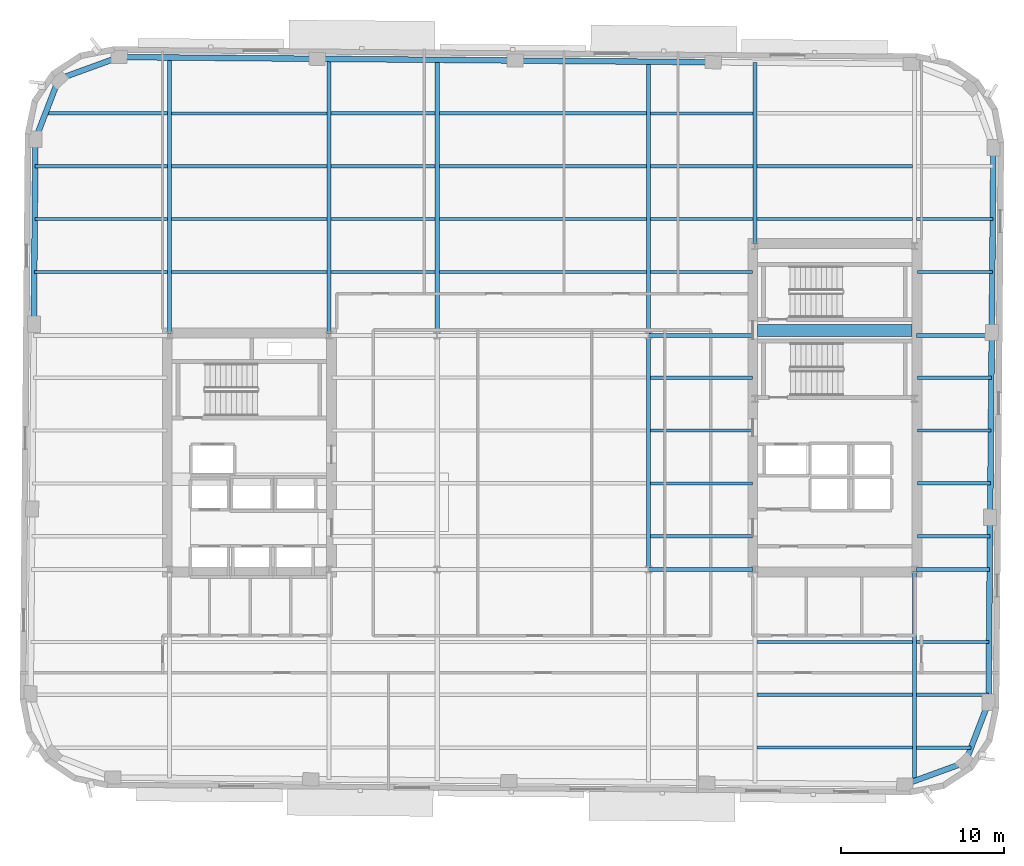
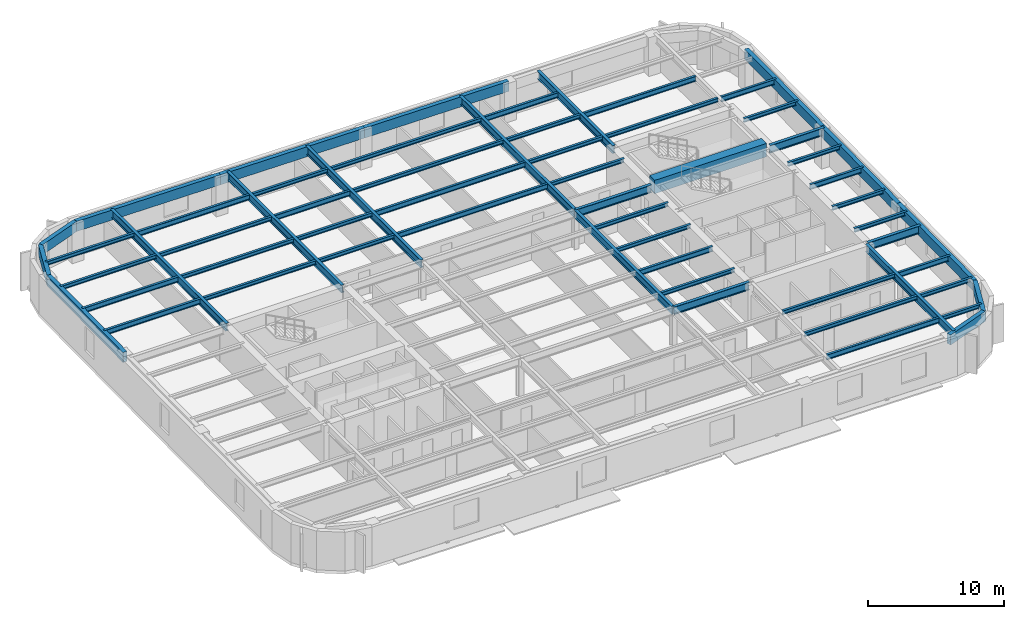
# One storey, part 2 of 12: 61 beams.
"""IFC4 building model written with IfcOpenShell, lengths in metres."""

from ifc_helpers import new_model, si_unit, direction, frame, origin, origin_2d, place, context, subcontext, project, spatial, rectangle, hollow_rectangle, i_section, extrude, material, material_profile, profile_set, type_object, element, save


model = new_model("IFC4")

# Units and contexts
model_context = context("Model", 3, precision=1e-05, world=origin(), true_north=direction((0.0, 1.0)))
body_context = subcontext(model_context, "Body", "Model", "MODEL_VIEW")
ifc_project = project(units=[si_unit("LENGTHUNIT", "METRE"), si_unit("AREAUNIT", "SQUARE_METRE"), si_unit("VOLUMEUNIT", "CUBIC_METRE"), si_unit("PLANEANGLEUNIT", "RADIAN"), si_unit("MASSUNIT", "GRAM", prefix="KILO")], contexts=[model_context])

# Site, building, storey
site_placement = place(None, origin())
site = spatial("IfcSite", under=ifc_project, at=site_placement, CompositionType="ELEMENT")
building_placement = place(site_placement, origin())
building = spatial("IfcBuilding", under=site, at=building_placement, Name="Kolvaren Arena Tower", CompositionType="ELEMENT")
storey_placement = place(building_placement, frame((0.0, 0.0, 177.199951171875)))
storey = spatial("IfcBuildingStorey", under=building, at=storey_placement, Name="L42", CompositionType="ELEMENT", Elevation=177.199951171875)

# Beams
ifc_material_1 = material(Name="Steel CSA G40.21 350W", Category="steel")
ifc_material_profile_1 = material_profile(ifc_material_1, i_section(OverallWidth=0.193115234375, OverallDepth=0.462890625, WebThickness=0.0107421875, FlangeThickness=0.0205078125, FilletRadius=0.012939453125, at=origin_2d()), Name="W460x113")
ifc_profile_set_1 = profile_set([ifc_material_profile_1], Name="Steel CSA G40.21 350W")
beam_type_1 = type_object("IfcBeamType", Name="BEAM-F2", PredefinedType="BEAM", material=ifc_profile_set_1)
beam_1_placement = place(storey_placement, frame((50.677490234375, 8.5, 3.24853515625), z_axis=(1.0, 0.0, 0.0), x_axis=(0.0, 1.0, 0.0)))
element("IfcBeam", 1, at=beam_1_placement, inside=storey, type_object=beam_type_1, Name="Composite Floor Beam (L42)", PredefinedType="BEAM", context=body_context, shape_type="SweptSolid", body=[
    extrude(i_section(OverallWidth=0.193115234375, OverallDepth=0.462890625, WebThickness=0.0107421875, FlangeThickness=0.0205078125, FilletRadius=0.012939453125, at=origin_2d()), origin(), (0.0, 0.0, 1.0), 9.544921875),
])
beam_2_placement = place(storey_placement, frame((60.4775390625, 15.0, 3.24853515625), z_axis=(1.0, 0.0, 0.0), x_axis=(0.0, 1.0, 0.0)))
element("IfcBeam", 2, at=beam_2_placement, inside=storey, type_object=beam_type_1, Name="Composite Floor Beam (L42)", PredefinedType="BEAM", context=body_context, shape_type="SweptSolid", body=[
    extrude(i_section(OverallWidth=0.193115234375, OverallDepth=0.462890625, WebThickness=0.0107421875, FlangeThickness=0.0205078125, FilletRadius=0.012939453125, at=origin_2d()), origin(), (0.0, 0.0, 1.0), 4.454833984375),
])
beam_3_placement = place(storey_placement, frame((44.12744140625, 24.75, 3.24853515625), z_axis=(1.0, 0.0, 0.0), x_axis=(0.0, 1.0, 0.0)))
element("IfcBeam", 3, at=beam_3_placement, inside=storey, type_object=beam_type_1, Name="Composite Floor Beam (L42)", PredefinedType="BEAM", context=body_context, shape_type="SweptSolid", body=[
    extrude(i_section(OverallWidth=0.193115234375, OverallDepth=0.462890625, WebThickness=0.0107421875, FlangeThickness=0.0205078125, FilletRadius=0.012939453125, at=origin_2d()), origin(), (0.0, 0.0, 1.0), 6.25244140625),
])
beam_4_placement = place(storey_placement, frame((60.52001953125, 28.0, 3.24853515625), z_axis=(1.0, 0.0, 0.0), x_axis=(0.0, 1.0, 0.0)))
element("IfcBeam", 4, at=beam_4_placement, inside=storey, type_object=beam_type_1, Name="Composite Floor Beam (L42)", PredefinedType="BEAM", context=body_context, shape_type="SweptSolid", body=[
    extrude(i_section(OverallWidth=0.193115234375, OverallDepth=0.462890625, WebThickness=0.0107421875, FlangeThickness=0.0205078125, FilletRadius=0.012939453125, at=origin_2d()), origin(), (0.0, 0.0, 1.0), 4.52587890625),
])
beam_5_placement = place(storey_placement, frame((6.228759765625, 37.75, 3.24853515625), z_axis=(1.0, 0.0, 0.0), x_axis=(0.0, 1.0, 0.0)))
element("IfcBeam", 5, at=beam_5_placement, inside=storey, type_object=beam_type_1, Name="Composite Floor Beam (L42)", PredefinedType="BEAM", context=body_context, shape_type="SweptSolid", body=[
    extrude(i_section(OverallWidth=0.193115234375, OverallDepth=0.462890625, WebThickness=0.0107421875, FlangeThickness=0.0205078125, FilletRadius=0.012939453125, at=origin_2d()), origin(), (0.0, 0.0, 1.0), 8.19384765625),
])
beam_6_placement = place(storey_placement, frame((31.12744140625, 37.75, 3.24853515625), z_axis=(1.0, 0.0, 0.0), x_axis=(0.0, 1.0, 0.0)))
element("IfcBeam", 6, at=beam_6_placement, inside=storey, type_object=beam_type_1, Name="Composite Floor Beam (L42)", PredefinedType="BEAM", context=body_context, shape_type="SweptSolid", body=[
    extrude(i_section(OverallWidth=0.193115234375, OverallDepth=0.462890625, WebThickness=0.0107421875, FlangeThickness=0.0205078125, FilletRadius=0.012939453125, at=origin_2d()), origin(), (0.0, 0.0, 1.0), 12.7451171875),
])
beam_7_placement = place(storey_placement, frame((6.257080078125, 41.0, 3.24853515625), z_axis=(1.0, 0.0, 0.0), x_axis=(0.0, 1.0, 0.0)))
element("IfcBeam", 7, at=beam_7_placement, inside=storey, type_object=beam_type_1, Name="Composite Floor Beam (L42)", PredefinedType="BEAM", context=body_context, shape_type="SweptSolid", body=[
    extrude(i_section(OverallWidth=0.193115234375, OverallDepth=0.462890625, WebThickness=0.0107421875, FlangeThickness=0.0205078125, FilletRadius=0.012939453125, at=origin_2d()), origin(), (0.0, 0.0, 1.0), 8.16552734375),
])
beam_8_placement = place(storey_placement, frame((31.12744140625, 41.0, 3.24853515625), z_axis=(1.0, 0.0, 0.0), x_axis=(0.0, 1.0, 0.0)))
element("IfcBeam", 8, at=beam_8_placement, inside=storey, type_object=beam_type_1, Name="Composite Floor Beam (L42)", PredefinedType="BEAM", context=body_context, shape_type="SweptSolid", body=[
    extrude(i_section(OverallWidth=0.193115234375, OverallDepth=0.462890625, WebThickness=0.0107421875, FlangeThickness=0.0205078125, FilletRadius=0.012939453125, at=origin_2d()), origin(), (0.0, 0.0, 1.0), 12.7451171875),
])
beam_9_placement = place(storey_placement, frame((60.4775390625, 41.0, 3.24853515625), z_axis=(1.0, 0.0, 0.0), x_axis=(0.0, 1.0, 0.0)))
element("IfcBeam", 9, at=beam_9_placement, inside=storey, type_object=beam_type_1, Name="Composite Floor Beam (L42)", PredefinedType="BEAM", context=body_context, shape_type="SweptSolid", body=[
    extrude(i_section(OverallWidth=0.193115234375, OverallDepth=0.462890625, WebThickness=0.0107421875, FlangeThickness=0.0205078125, FilletRadius=0.012939453125, at=origin_2d()), origin(), (0.0, 0.0, 1.0), 4.681884765625),
])
beam_10_placement = place(storey_placement, frame((24.4775390625, 44.25, 3.24853515625), z_axis=(1.0, 0.0, 0.0), x_axis=(0.0, 1.0, 0.0)))
element("IfcBeam", 10, at=beam_10_placement, inside=storey, type_object=beam_type_1, Name="Composite Floor Beam (L42)", PredefinedType="BEAM", context=body_context, shape_type="SweptSolid", body=[
    extrude(i_section(OverallWidth=0.193115234375, OverallDepth=0.462890625, WebThickness=0.0107421875, FlangeThickness=0.0205078125, FilletRadius=0.012939453125, at=origin_2d()), origin(), (0.0, 0.0, 1.0), 6.39501953125),
])
for number, where, z_axis, x_axis, name in (
    (11, (50.677490234375, 44.25, 3.24853515625), (1.0, 0.0, 0.0), (0.0, 1.0, 0.0), "Composite Floor Beam (L42)"),
    (12, (14.677490234375, 47.5, 3.24853515625), (1.0, 0.0, 0.0), (0.0, 1.0, 0.0), "Composite Floor Beam (L42)"),
):
    element("IfcBeam", number, at=place(storey_placement, frame(where, z_axis=z_axis, x_axis=x_axis)), inside=storey, type_object=beam_type_1, Name=name, PredefinedType="BEAM", context=body_context, shape_type="SweptSolid", body=[
        extrude(i_section(OverallWidth=0.193115234375, OverallDepth=0.462890625, WebThickness=0.0107421875, FlangeThickness=0.0205078125, FilletRadius=0.012939453125, at=origin_2d()), origin(), (0.0, 0.0, 1.0), 9.544921875),
    ])
beam_11_placement = place(storey_placement, frame((44.12744140625, 47.5, 3.24853515625), z_axis=(1.0, 0.0, 0.0), x_axis=(0.0, 1.0, 0.0)))
element("IfcBeam", 13, at=beam_11_placement, inside=storey, type_object=beam_type_1, Name="Composite Floor Beam (L42)", PredefinedType="BEAM", context=body_context, shape_type="SweptSolid", body=[
    extrude(i_section(OverallWidth=0.193115234375, OverallDepth=0.462890625, WebThickness=0.0107421875, FlangeThickness=0.0205078125, FilletRadius=0.012939453125, at=origin_2d()), origin(), (0.0, 0.0, 1.0), 6.295166015625),
])
ifc_material_2 = material(Name="Concrete 60 MPa", Category="concrete")
ifc_material_profile_2 = material_profile(ifc_material_2, rectangle(XDim=0.75, YDim=1.199951171875, at=origin_2d()), Name="RC-750x1200")
ifc_profile_set_2 = profile_set([ifc_material_profile_2], Name="Concrete 60 MPa")
beam_type_2 = type_object("IfcBeamType", Name="CB-CORE-2", PredefinedType="BEAM", material=ifc_profile_set_2)
beam_12_placement = place(storey_placement, frame((50.699951171875, 34.14990234375, 3.150146484375), z_axis=(1.0, 0.0, 0.0), x_axis=(0.0, 1.0, 0.0)))
element("IfcBeam", 14, at=beam_12_placement, inside=storey, type_object=beam_type_2, Name="East Core Coupling Beam (L42)", PredefinedType="BEAM", context=body_context, shape_type="SweptSolid", body=[
    extrude(rectangle(XDim=0.75, YDim=1.199951171875, at=origin_2d()), origin(), (0.0, 0.0, 1.0), 9.5),
])
ifc_material_profile_3 = material_profile(ifc_material_1, i_section(OverallWidth=0.2548828125, OverallDepth=0.695068359375, WebThickness=0.01708984375, FlangeThickness=0.02978515625, FilletRadius=0.01611328125, at=origin_2d()), Name="W690x217")
ifc_profile_set_3 = profile_set([ifc_material_profile_3], Name="Steel CSA G40.21 350W")
beam_type_3 = type_object("IfcBeamType", Name="GIRD-T2", PredefinedType="BEAM", material=ifc_profile_set_3)
beam_13_placement = place(storey_placement, frame((44.0, 19.449951171875, 3.132568359375), z_axis=(1.0, 0.0, 0.0), x_axis=(0.0, 1.0, 0.0)))
element("IfcBeam", 15, at=beam_13_placement, inside=storey, type_object=beam_type_3, Name="Primary Floor Girder (L42)", PredefinedType="BEAM", context=body_context, shape_type="SweptSolid", body=[
    extrude(i_section(OverallWidth=0.2548828125, OverallDepth=0.695068359375, WebThickness=0.01708984375, FlangeThickness=0.02978515625, FilletRadius=0.01611328125, at=origin_2d()), origin(), (0.0, 0.0, 1.0), 6.419921875),
])
beam_14_placement = place(storey_placement, frame((60.47998046875, 19.449951171875, 3.132568359375), z_axis=(1.0, 0.0, 0.0), x_axis=(0.0, 1.0, 0.0)))
element("IfcBeam", 16, at=beam_14_placement, inside=storey, type_object=beam_type_3, Name="Primary Floor Girder (L42)", PredefinedType="BEAM", context=body_context, shape_type="SweptSolid", body=[
    extrude(i_section(OverallWidth=0.2548828125, OverallDepth=0.695068359375, WebThickness=0.01708984375, FlangeThickness=0.02978515625, FilletRadius=0.01611328125, at=origin_2d()), origin(), (0.0, 0.0, 1.0), 4.4912109375),
])
beam_15_placement = place(storey_placement, frame((44.0, 33.85009765625, 3.132568359375), z_axis=(1.0, 0.0, 0.0), x_axis=(0.0, 1.0, 0.0)))
element("IfcBeam", 17, at=beam_15_placement, inside=storey, type_object=beam_type_3, Name="Primary Floor Girder (L42)", PredefinedType="BEAM", context=body_context, shape_type="SweptSolid", body=[
    extrude(i_section(OverallWidth=0.2548828125, OverallDepth=0.695068359375, WebThickness=0.01708984375, FlangeThickness=0.02978515625, FilletRadius=0.01611328125, at=origin_2d()), origin(), (0.0, 0.0, 1.0), 6.419921875),
])
beam_16_placement = place(storey_placement, frame((60.47998046875, 33.85009765625, 3.132568359375), z_axis=(1.0, 0.0, 0.0), x_axis=(0.0, 1.0, 0.0)))
element("IfcBeam", 18, at=beam_16_placement, inside=storey, type_object=beam_type_3, Name="Primary Floor Girder (L42)", PredefinedType="BEAM", context=body_context, shape_type="SweptSolid", body=[
    extrude(i_section(OverallWidth=0.2548828125, OverallDepth=0.695068359375, WebThickness=0.01708984375, FlangeThickness=0.02978515625, FilletRadius=0.01611328125, at=origin_2d()), origin(), (0.0, 0.0, 1.0), 4.616943359375),
])
beam_17_placement = place(storey_placement, frame((14.550048828125, 33.97998046875, 3.132568359375), z_axis=(0.0, 1.0, 0.0), x_axis=(-1.0, 0.0, 0.0)))
element("IfcBeam", 19, at=beam_17_placement, inside=storey, type_object=beam_type_3, Name="Primary Floor Girder (L42)", PredefinedType="BEAM", context=body_context, shape_type="SweptSolid", body=[
    extrude(i_section(OverallWidth=0.2548828125, OverallDepth=0.695068359375, WebThickness=0.01708984375, FlangeThickness=0.02978515625, FilletRadius=0.01611328125, at=origin_2d()), origin(), (0.0, 0.0, 1.0), 16.95458984375),
])
beam_18_placement = place(storey_placement, frame((24.35009765625, 33.97998046875, 3.132568359375), z_axis=(0.0, 1.0, 0.0), x_axis=(-1.0, 0.0, 0.0)))
element("IfcBeam", 20, at=beam_18_placement, inside=storey, type_object=beam_type_3, Name="Primary Floor Girder (L42)", PredefinedType="BEAM", context=body_context, shape_type="SweptSolid", body=[
    extrude(i_section(OverallWidth=0.2548828125, OverallDepth=0.695068359375, WebThickness=0.01708984375, FlangeThickness=0.02978515625, FilletRadius=0.01611328125, at=origin_2d()), origin(), (0.0, 0.0, 1.0), 16.869140625),
])
beam_19_placement = place(storey_placement, frame((31.0, 33.85009765625, 3.132568359375), z_axis=(0.0, 1.0, 0.0), x_axis=(-1.0, 0.0, 0.0)))
element("IfcBeam", 21, at=beam_19_placement, inside=storey, type_object=beam_type_3, Name="Primary Floor Girder (L42)", PredefinedType="BEAM", context=body_context, shape_type="SweptSolid", body=[
    extrude(i_section(OverallWidth=0.2548828125, OverallDepth=0.695068359375, WebThickness=0.01708984375, FlangeThickness=0.02978515625, FilletRadius=0.01611328125, at=origin_2d()), origin(), (0.0, 0.0, 1.0), 16.94091796875),
])
beam_20_placement = place(storey_placement, frame((44.0, 19.449951171875, 3.132568359375), z_axis=(0.0, 1.0, 0.0), x_axis=(-1.0, 0.0, 0.0)))
element("IfcBeam", 22, at=beam_20_placement, inside=storey, type_object=beam_type_3, Name="Primary Floor Girder (L42)", PredefinedType="BEAM", context=body_context, shape_type="SweptSolid", body=[
    extrude(i_section(OverallWidth=0.2548828125, OverallDepth=0.695068359375, WebThickness=0.01708984375, FlangeThickness=0.02978515625, FilletRadius=0.01611328125, at=origin_2d()), origin(), (0.0, 0.0, 1.0), 14.400146484375),
])
beam_21_placement = place(storey_placement, frame((44.0, 33.85009765625, 3.132568359375), z_axis=(0.0, 1.0, 0.0), x_axis=(-1.0, 0.0, 0.0)))
element("IfcBeam", 23, at=beam_21_placement, inside=storey, type_object=beam_type_3, Name="Primary Floor Girder (L42)", PredefinedType="BEAM", context=body_context, shape_type="SweptSolid", body=[
    extrude(i_section(OverallWidth=0.2548828125, OverallDepth=0.695068359375, WebThickness=0.01708984375, FlangeThickness=0.02978515625, FilletRadius=0.01611328125, at=origin_2d()), origin(), (0.0, 0.0, 1.0), 16.827392578125),
])
beam_22_placement = place(storey_placement, frame((50.550048828125, 39.47998046875, 3.132568359375), z_axis=(0.0, 1.0, 0.0), x_axis=(-1.0, 0.0, 0.0)))
element("IfcBeam", 24, at=beam_22_placement, inside=storey, type_object=beam_type_3, Name="Primary Floor Girder (L42)", PredefinedType="BEAM", context=body_context, shape_type="SweptSolid", body=[
    extrude(i_section(OverallWidth=0.2548828125, OverallDepth=0.695068359375, WebThickness=0.01708984375, FlangeThickness=0.02978515625, FilletRadius=0.01611328125, at=origin_2d()), origin(), (0.0, 0.0, 1.0), 11.140380859375),
])
beam_23_placement = place(storey_placement, frame((60.35009765625, 6.455322265625, 3.132568359375), z_axis=(0.0, 1.0, 0.0), x_axis=(-1.0, 0.0, 0.0)))
element("IfcBeam", 25, at=beam_23_placement, inside=storey, type_object=beam_type_3, Name="Primary Floor Girder (L42)", PredefinedType="BEAM", context=body_context, shape_type="SweptSolid", body=[
    extrude(i_section(OverallWidth=0.2548828125, OverallDepth=0.695068359375, WebThickness=0.01708984375, FlangeThickness=0.02978515625, FilletRadius=0.01611328125, at=origin_2d()), origin(), (0.0, 0.0, 1.0), 12.86474609375),
])
ifc_material_profile_4 = material_profile(ifc_material_1, i_section(OverallWidth=0.202880859375, OverallDepth=0.346923828125, WebThickness=0.0078125, FlangeThickness=0.013427734375, FilletRadius=0.010986328125, at=origin_2d()), Name="W360x64")
ifc_profile_set_4 = profile_set([ifc_material_profile_4], Name="Steel CSA G40.21 350W")
beam_type_4 = type_object("IfcBeamType", Name="JOIST-01", PredefinedType="JOIST", material=ifc_profile_set_4)
beam_24_placement = place(storey_placement, frame((60.4775390625, 8.5, 3.306640625), z_axis=(1.0, 0.0, 0.0), x_axis=(0.0, 1.0, 0.0)))
element("IfcBeam", 26, at=beam_24_placement, inside=storey, type_object=beam_type_4, Name="Composite Floor Joist (L42)", PredefinedType="JOIST", context=body_context, shape_type="SweptSolid", body=[
    extrude(i_section(OverallWidth=0.202880859375, OverallDepth=0.346923828125, WebThickness=0.0078125, FlangeThickness=0.013427734375, FilletRadius=0.010986328125, at=origin_2d()), origin(), (0.0, 0.0, 1.0), 3.3466796875),
])
beam_25_placement = place(storey_placement, frame((50.677490234375, 11.75, 3.306640625), z_axis=(1.0, 0.0, 0.0), x_axis=(0.0, 1.0, 0.0)))
element("IfcBeam", 27, at=beam_25_placement, inside=storey, type_object=beam_type_4, Name="Composite Floor Joist (L42)", PredefinedType="JOIST", context=body_context, shape_type="SweptSolid", body=[
    extrude(i_section(OverallWidth=0.202880859375, OverallDepth=0.346923828125, WebThickness=0.0078125, FlangeThickness=0.013427734375, FilletRadius=0.010986328125, at=origin_2d()), origin(), (0.0, 0.0, 1.0), 9.544921875),
])
beam_26_placement = place(storey_placement, frame((60.4775390625, 11.75, 3.306640625), z_axis=(1.0, 0.0, 0.0), x_axis=(0.0, 1.0, 0.0)))
element("IfcBeam", 28, at=beam_26_placement, inside=storey, type_object=beam_type_4, Name="Composite Floor Joist (L42)", PredefinedType="JOIST", context=body_context, shape_type="SweptSolid", body=[
    extrude(i_section(OverallWidth=0.202880859375, OverallDepth=0.346923828125, WebThickness=0.0078125, FlangeThickness=0.013427734375, FilletRadius=0.010986328125, at=origin_2d()), origin(), (0.0, 0.0, 1.0), 4.426513671875),
])
beam_27_placement = place(storey_placement, frame((50.677490234375, 15.0, 3.306640625), z_axis=(1.0, 0.0, 0.0), x_axis=(0.0, 1.0, 0.0)))
element("IfcBeam", 29, at=beam_27_placement, inside=storey, type_object=beam_type_4, Name="Composite Floor Joist (L42)", PredefinedType="JOIST", context=body_context, shape_type="SweptSolid", body=[
    extrude(i_section(OverallWidth=0.202880859375, OverallDepth=0.346923828125, WebThickness=0.0078125, FlangeThickness=0.013427734375, FilletRadius=0.010986328125, at=origin_2d()), origin(), (0.0, 0.0, 1.0), 9.544921875),
])
beam_28_placement = place(storey_placement, frame((44.12744140625, 21.5, 3.306640625), z_axis=(1.0, 0.0, 0.0), x_axis=(0.0, 1.0, 0.0)))
element("IfcBeam", 30, at=beam_28_placement, inside=storey, type_object=beam_type_4, Name="Composite Floor Joist (L42)", PredefinedType="JOIST", context=body_context, shape_type="SweptSolid", body=[
    extrude(i_section(OverallWidth=0.202880859375, OverallDepth=0.346923828125, WebThickness=0.0078125, FlangeThickness=0.013427734375, FilletRadius=0.010986328125, at=origin_2d()), origin(), (0.0, 0.0, 1.0), 6.25244140625),
])
beam_29_placement = place(storey_placement, frame((60.52001953125, 21.5, 3.306640625), z_axis=(1.0, 0.0, 0.0), x_axis=(0.0, 1.0, 0.0)))
element("IfcBeam", 31, at=beam_29_placement, inside=storey, type_object=beam_type_4, Name="Composite Floor Joist (L42)", PredefinedType="JOIST", context=body_context, shape_type="SweptSolid", body=[
    extrude(i_section(OverallWidth=0.202880859375, OverallDepth=0.346923828125, WebThickness=0.0078125, FlangeThickness=0.013427734375, FilletRadius=0.010986328125, at=origin_2d()), origin(), (0.0, 0.0, 1.0), 4.46923828125),
])
beam_30_placement = place(storey_placement, frame((60.52001953125, 24.75, 3.306640625), z_axis=(1.0, 0.0, 0.0), x_axis=(0.0, 1.0, 0.0)))
element("IfcBeam", 32, at=beam_30_placement, inside=storey, type_object=beam_type_4, Name="Composite Floor Joist (L42)", PredefinedType="JOIST", context=body_context, shape_type="SweptSolid", body=[
    extrude(i_section(OverallWidth=0.202880859375, OverallDepth=0.346923828125, WebThickness=0.0078125, FlangeThickness=0.013427734375, FilletRadius=0.010986328125, at=origin_2d()), origin(), (0.0, 0.0, 1.0), 4.49755859375),
])
for number, where, z_axis, x_axis, name in (
    (33, (44.12744140625, 28.0, 3.306640625), (1.0, 0.0, 0.0), (0.0, 1.0, 0.0), "Composite Floor Joist (L42)"),
    (34, (44.12744140625, 31.25, 3.306640625), (1.0, 0.0, 0.0), (0.0, 1.0, 0.0), "Composite Floor Joist (L42)"),
):
    element("IfcBeam", number, at=place(storey_placement, frame(where, z_axis=z_axis, x_axis=x_axis)), inside=storey, type_object=beam_type_4, Name=name, PredefinedType="JOIST", context=body_context, shape_type="SweptSolid", body=[
        extrude(i_section(OverallWidth=0.202880859375, OverallDepth=0.346923828125, WebThickness=0.0078125, FlangeThickness=0.013427734375, FilletRadius=0.010986328125, at=origin_2d()), origin(), (0.0, 0.0, 1.0), 6.25244140625),
    ])
beam_31_placement = place(storey_placement, frame((60.52001953125, 31.25, 3.306640625), z_axis=(1.0, 0.0, 0.0), x_axis=(0.0, 1.0, 0.0)))
element("IfcBeam", 35, at=beam_31_placement, inside=storey, type_object=beam_type_4, Name="Composite Floor Joist (L42)", PredefinedType="JOIST", context=body_context, shape_type="SweptSolid", body=[
    extrude(i_section(OverallWidth=0.202880859375, OverallDepth=0.346923828125, WebThickness=0.0078125, FlangeThickness=0.013427734375, FilletRadius=0.010986328125, at=origin_2d()), origin(), (0.0, 0.0, 1.0), 4.55419921875),
])
beam_32_placement = place(storey_placement, frame((14.677490234375, 37.75, 3.306640625), z_axis=(1.0, 0.0, 0.0), x_axis=(0.0, 1.0, 0.0)))
element("IfcBeam", 36, at=beam_32_placement, inside=storey, type_object=beam_type_4, Name="Composite Floor Joist (L42)", PredefinedType="JOIST", context=body_context, shape_type="SweptSolid", body=[
    extrude(i_section(OverallWidth=0.202880859375, OverallDepth=0.346923828125, WebThickness=0.0078125, FlangeThickness=0.013427734375, FilletRadius=0.010986328125, at=origin_2d()), origin(), (0.0, 0.0, 1.0), 9.544921875),
])
beam_33_placement = place(storey_placement, frame((24.4775390625, 37.75, 3.306640625), z_axis=(1.0, 0.0, 0.0), x_axis=(0.0, 1.0, 0.0)))
element("IfcBeam", 37, at=beam_33_placement, inside=storey, type_object=beam_type_4, Name="Composite Floor Joist (L42)", PredefinedType="JOIST", context=body_context, shape_type="SweptSolid", body=[
    extrude(i_section(OverallWidth=0.202880859375, OverallDepth=0.346923828125, WebThickness=0.0078125, FlangeThickness=0.013427734375, FilletRadius=0.010986328125, at=origin_2d()), origin(), (0.0, 0.0, 1.0), 6.39501953125),
])
beam_34_placement = place(storey_placement, frame((44.12744140625, 37.75, 3.306640625), z_axis=(1.0, 0.0, 0.0), x_axis=(0.0, 1.0, 0.0)))
element("IfcBeam", 38, at=beam_34_placement, inside=storey, type_object=beam_type_4, Name="Composite Floor Joist (L42)", PredefinedType="JOIST", context=body_context, shape_type="SweptSolid", body=[
    extrude(i_section(OverallWidth=0.202880859375, OverallDepth=0.346923828125, WebThickness=0.0078125, FlangeThickness=0.013427734375, FilletRadius=0.010986328125, at=origin_2d()), origin(), (0.0, 0.0, 1.0), 6.25244140625),
])
beam_35_placement = place(storey_placement, frame((60.52001953125, 37.75, 3.306640625), z_axis=(1.0, 0.0, 0.0), x_axis=(0.0, 1.0, 0.0)))
element("IfcBeam", 39, at=beam_35_placement, inside=storey, type_object=beam_type_4, Name="Composite Floor Joist (L42)", PredefinedType="JOIST", context=body_context, shape_type="SweptSolid", body=[
    extrude(i_section(OverallWidth=0.202880859375, OverallDepth=0.346923828125, WebThickness=0.0078125, FlangeThickness=0.013427734375, FilletRadius=0.010986328125, at=origin_2d()), origin(), (0.0, 0.0, 1.0), 4.611083984375),
])
beam_36_placement = place(storey_placement, frame((14.677490234375, 41.0, 3.306640625), z_axis=(1.0, 0.0, 0.0), x_axis=(0.0, 1.0, 0.0)))
element("IfcBeam", 40, at=beam_36_placement, inside=storey, type_object=beam_type_4, Name="Composite Floor Joist (L42)", PredefinedType="JOIST", context=body_context, shape_type="SweptSolid", body=[
    extrude(i_section(OverallWidth=0.202880859375, OverallDepth=0.346923828125, WebThickness=0.0078125, FlangeThickness=0.013427734375, FilletRadius=0.010986328125, at=origin_2d()), origin(), (0.0, 0.0, 1.0), 9.544921875),
])
beam_37_placement = place(storey_placement, frame((24.4775390625, 41.0, 3.306640625), z_axis=(1.0, 0.0, 0.0), x_axis=(0.0, 1.0, 0.0)))
element("IfcBeam", 41, at=beam_37_placement, inside=storey, type_object=beam_type_4, Name="Composite Floor Joist (L42)", PredefinedType="JOIST", context=body_context, shape_type="SweptSolid", body=[
    extrude(i_section(OverallWidth=0.202880859375, OverallDepth=0.346923828125, WebThickness=0.0078125, FlangeThickness=0.013427734375, FilletRadius=0.010986328125, at=origin_2d()), origin(), (0.0, 0.0, 1.0), 6.39501953125),
])
beam_38_placement = place(storey_placement, frame((44.12744140625, 41.0, 3.306640625), z_axis=(1.0, 0.0, 0.0), x_axis=(0.0, 1.0, 0.0)))
element("IfcBeam", 42, at=beam_38_placement, inside=storey, type_object=beam_type_4, Name="Composite Floor Joist (L42)", PredefinedType="JOIST", context=body_context, shape_type="SweptSolid", body=[
    extrude(i_section(OverallWidth=0.202880859375, OverallDepth=0.346923828125, WebThickness=0.0078125, FlangeThickness=0.013427734375, FilletRadius=0.010986328125, at=origin_2d()), origin(), (0.0, 0.0, 1.0), 6.295166015625),
])
beam_39_placement = place(storey_placement, frame((50.677490234375, 41.0, 3.306640625), z_axis=(1.0, 0.0, 0.0), x_axis=(0.0, 1.0, 0.0)))
element("IfcBeam", 43, at=beam_39_placement, inside=storey, type_object=beam_type_4, Name="Composite Floor Joist (L42)", PredefinedType="JOIST", context=body_context, shape_type="SweptSolid", body=[
    extrude(i_section(OverallWidth=0.202880859375, OverallDepth=0.346923828125, WebThickness=0.0078125, FlangeThickness=0.013427734375, FilletRadius=0.010986328125, at=origin_2d()), origin(), (0.0, 0.0, 1.0), 9.544921875),
])
beam_40_placement = place(storey_placement, frame((6.285400390625, 44.25, 3.306640625), z_axis=(1.0, 0.0, 0.0), x_axis=(0.0, 1.0, 0.0)))
element("IfcBeam", 44, at=beam_40_placement, inside=storey, type_object=beam_type_4, Name="Composite Floor Joist (L42)", PredefinedType="JOIST", context=body_context, shape_type="SweptSolid", body=[
    extrude(i_section(OverallWidth=0.202880859375, OverallDepth=0.346923828125, WebThickness=0.0078125, FlangeThickness=0.013427734375, FilletRadius=0.010986328125, at=origin_2d()), origin(), (0.0, 0.0, 1.0), 8.13720703125),
])
beam_41_placement = place(storey_placement, frame((14.677490234375, 44.25, 3.306640625), z_axis=(1.0, 0.0, 0.0), x_axis=(0.0, 1.0, 0.0)))
element("IfcBeam", 45, at=beam_41_placement, inside=storey, type_object=beam_type_4, Name="Composite Floor Joist (L42)", PredefinedType="JOIST", context=body_context, shape_type="SweptSolid", body=[
    extrude(i_section(OverallWidth=0.202880859375, OverallDepth=0.346923828125, WebThickness=0.0078125, FlangeThickness=0.013427734375, FilletRadius=0.010986328125, at=origin_2d()), origin(), (0.0, 0.0, 1.0), 9.544921875),
])
beam_42_placement = place(storey_placement, frame((31.12744140625, 44.25, 3.306640625), z_axis=(1.0, 0.0, 0.0), x_axis=(0.0, 1.0, 0.0)))
element("IfcBeam", 46, at=beam_42_placement, inside=storey, type_object=beam_type_4, Name="Composite Floor Joist (L42)", PredefinedType="JOIST", context=body_context, shape_type="SweptSolid", body=[
    extrude(i_section(OverallWidth=0.202880859375, OverallDepth=0.346923828125, WebThickness=0.0078125, FlangeThickness=0.013427734375, FilletRadius=0.010986328125, at=origin_2d()), origin(), (0.0, 0.0, 1.0), 12.7451171875),
])
beam_43_placement = place(storey_placement, frame((44.12744140625, 44.25, 3.306640625), z_axis=(1.0, 0.0, 0.0), x_axis=(0.0, 1.0, 0.0)))
element("IfcBeam", 47, at=beam_43_placement, inside=storey, type_object=beam_type_4, Name="Composite Floor Joist (L42)", PredefinedType="JOIST", context=body_context, shape_type="SweptSolid", body=[
    extrude(i_section(OverallWidth=0.202880859375, OverallDepth=0.346923828125, WebThickness=0.0078125, FlangeThickness=0.013427734375, FilletRadius=0.010986328125, at=origin_2d()), origin(), (0.0, 0.0, 1.0), 6.295166015625),
])
beam_44_placement = place(storey_placement, frame((6.913818359375, 47.5, 3.306640625), z_axis=(1.0, 0.0, 0.0), x_axis=(0.0, 1.0, 0.0)))
element("IfcBeam", 48, at=beam_44_placement, inside=storey, type_object=beam_type_4, Name="Composite Floor Joist (L42)", PredefinedType="JOIST", context=body_context, shape_type="SweptSolid", body=[
    extrude(i_section(OverallWidth=0.202880859375, OverallDepth=0.346923828125, WebThickness=0.0078125, FlangeThickness=0.013427734375, FilletRadius=0.010986328125, at=origin_2d()), origin(), (0.0, 0.0, 1.0), 7.5087890625),
])
beam_45_placement = place(storey_placement, frame((24.4775390625, 47.5, 3.306640625), z_axis=(1.0, 0.0, 0.0), x_axis=(0.0, 1.0, 0.0)))
element("IfcBeam", 49, at=beam_45_placement, inside=storey, type_object=beam_type_4, Name="Composite Floor Joist (L42)", PredefinedType="JOIST", context=body_context, shape_type="SweptSolid", body=[
    extrude(i_section(OverallWidth=0.202880859375, OverallDepth=0.346923828125, WebThickness=0.0078125, FlangeThickness=0.013427734375, FilletRadius=0.010986328125, at=origin_2d()), origin(), (0.0, 0.0, 1.0), 6.39501953125),
])
beam_46_placement = place(storey_placement, frame((31.12744140625, 47.5, 3.306640625), z_axis=(1.0, 0.0, 0.0), x_axis=(0.0, 1.0, 0.0)))
element("IfcBeam", 50, at=beam_46_placement, inside=storey, type_object=beam_type_4, Name="Composite Floor Joist (L42)", PredefinedType="JOIST", context=body_context, shape_type="SweptSolid", body=[
    extrude(i_section(OverallWidth=0.202880859375, OverallDepth=0.346923828125, WebThickness=0.0078125, FlangeThickness=0.013427734375, FilletRadius=0.010986328125, at=origin_2d()), origin(), (0.0, 0.0, 1.0), 12.7451171875),
])
ifc_material_3 = material(Name="Steel CSA G40.21 350WT", Category="steel")
ifc_material_profile_5 = material_profile(ifc_material_3, hollow_rectangle(XDim=0.35009765625, YDim=0.89990234375, WallThickness=0.02001953125, at=origin_2d()), Name="HSS 900x350x20")
ifc_profile_set_5 = profile_set([ifc_material_profile_5], Name="Steel CSA G40.21 350WT")
beam_type_5 = type_object("IfcBeamType", Name="SPAND-01", PredefinedType="SPANDREL", material=ifc_profile_set_5)
for number, where, z_axis, x_axis, name in (
    (51, (59.755859375, 6.23828125, 3.030029296875), (0.939313819882, 0.343059102458, 0.0), (-0.343059102458, 0.939313819882, 0.0), "Perimeter Spandrel Beam (L42)"),
    (52, (63.4765625, 7.59716796875, 3.030029296875), (0.359383792094, 0.933189846698, 0.0), (-0.933189846698, 0.359383792094, 0.0), "Perimeter Spandrel Beam (L42)"),
):
    element("IfcBeam", number, at=place(storey_placement, frame(where, z_axis=z_axis, x_axis=x_axis)), inside=storey, type_object=beam_type_5, Name=name, PredefinedType="SPANDREL", context=body_context, shape_type="SweptSolid", body=[
        extrude(hollow_rectangle(XDim=0.35009765625, YDim=0.89990234375, WallThickness=0.02001953125, at=origin_2d()), origin(), (0.0, 0.0, 1.0), 3.961181640625),
    ])
for number, where, z_axis, x_axis, name in (
    (53, (64.900146484375, 11.293701171875, 3.030029296875), (0.008720348885, 0.999961977035, 0.0), (-0.999961977035, 0.008720348885, 0.0), "Perimeter Spandrel Beam (L42)"),
    (54, (64.999267578125, 22.659912109375, 3.030029296875), (0.008720348885, 0.999961977035, 0.0), (-0.999961977035, 0.008720348885, 0.0), "Perimeter Spandrel Beam (L42)"),
    (55, (65.098388671875, 34.026123046875, 3.030029296875), (0.008741825937, 0.99996178951, 0.0), (-0.99996178951, 0.008741825937, 0.0), "Perimeter Spandrel Beam (L42)"),
):
    element("IfcBeam", number, at=place(storey_placement, frame(where, z_axis=z_axis, x_axis=x_axis)), inside=storey, type_object=beam_type_5, Name=name, PredefinedType="SPANDREL", context=body_context, shape_type="SweptSolid", body=[
        extrude(hollow_rectangle(XDim=0.35009765625, YDim=0.89990234375, WallThickness=0.02001953125, at=origin_2d()), origin(), (0.0, 0.0, 1.0), 11.36669921875),
    ])
beam_47_placement = place(storey_placement, frame((47.9677734375, 50.642822265625, 3.030029296875), z_axis=(-0.999961779919, 0.008742922896, 0.0), x_axis=(-0.008742922896, -0.999961779919, 0.0)))
element("IfcBeam", 56, at=beam_47_placement, inside=storey, type_object=beam_type_5, Name="Perimeter Spandrel Beam (L42)", PredefinedType="SPANDREL", context=body_context, shape_type="SweptSolid", body=[
    extrude(hollow_rectangle(XDim=0.35009765625, YDim=0.89990234375, WallThickness=0.02001953125, at=origin_2d()), origin(), (0.0, 0.0, 1.0), 12.175048828125),
])
beam_48_placement = place(storey_placement, frame((35.793212890625, 50.749267578125, 3.030029296875), z_axis=(-0.999961953504, 0.008723046761, 0.0), x_axis=(-0.008723046761, -0.999961953504, 0.0)))
element("IfcBeam", 57, at=beam_48_placement, inside=storey, type_object=beam_type_5, Name="Perimeter Spandrel Beam (L42)", PredefinedType="SPANDREL", context=body_context, shape_type="SweptSolid", body=[
    extrude(hollow_rectangle(XDim=0.35009765625, YDim=0.89990234375, WallThickness=0.02001953125, at=origin_2d()), origin(), (0.0, 0.0, 1.0), 12.1748046875),
])
beam_49_placement = place(storey_placement, frame((23.618896484375, 50.85546875, 3.030029296875), z_axis=(-0.999961956555, 0.008722696942, 0.0), x_axis=(-0.008722696942, -0.999961956555, 0.0)))
element("IfcBeam", 58, at=beam_49_placement, inside=storey, type_object=beam_type_5, Name="Perimeter Spandrel Beam (L42)", PredefinedType="SPANDREL", context=body_context, shape_type="SweptSolid", body=[
    extrude(hollow_rectangle(XDim=0.35009765625, YDim=0.89990234375, WallThickness=0.02001953125, at=origin_2d()), origin(), (0.0, 0.0, 1.0), 12.17529296875),
])
for number, where, z_axis, x_axis, name in (
    (59, (11.444091796875, 50.961669921875, 3.030029296875), (-0.939313819882, -0.343059102458, 0.0), (0.343059102458, -0.939313819882, 0.0), "Perimeter Spandrel Beam (L42)"),
    (60, (7.723388671875, 49.602783203125, 3.030029296875), (-0.359383792094, -0.933189846698, 0.0), (0.933189846698, -0.359383792094, 0.0), "Perimeter Spandrel Beam (L42)"),
):
    element("IfcBeam", number, at=place(storey_placement, frame(where, z_axis=z_axis, x_axis=x_axis)), inside=storey, type_object=beam_type_5, Name=name, PredefinedType="SPANDREL", context=body_context, shape_type="SweptSolid", body=[
        extrude(hollow_rectangle(XDim=0.35009765625, YDim=0.89990234375, WallThickness=0.02001953125, at=origin_2d()), origin(), (0.0, 0.0, 1.0), 3.961181640625),
    ])
beam_50_placement = place(storey_placement, frame((6.2998046875, 45.90625, 3.030029296875), z_axis=(-0.008720348885, -0.999961977035, 0.0), x_axis=(0.999961977035, -0.008720348885, 0.0)))
element("IfcBeam", 61, at=beam_50_placement, inside=storey, type_object=beam_type_5, Name="Perimeter Spandrel Beam (L42)", PredefinedType="SPANDREL", context=body_context, shape_type="SweptSolid", body=[
    extrude(hollow_rectangle(XDim=0.35009765625, YDim=0.89990234375, WallThickness=0.02001953125, at=origin_2d()), origin(), (0.0, 0.0, 1.0), 11.36669921875),
])

save(model, "model.ifc")
